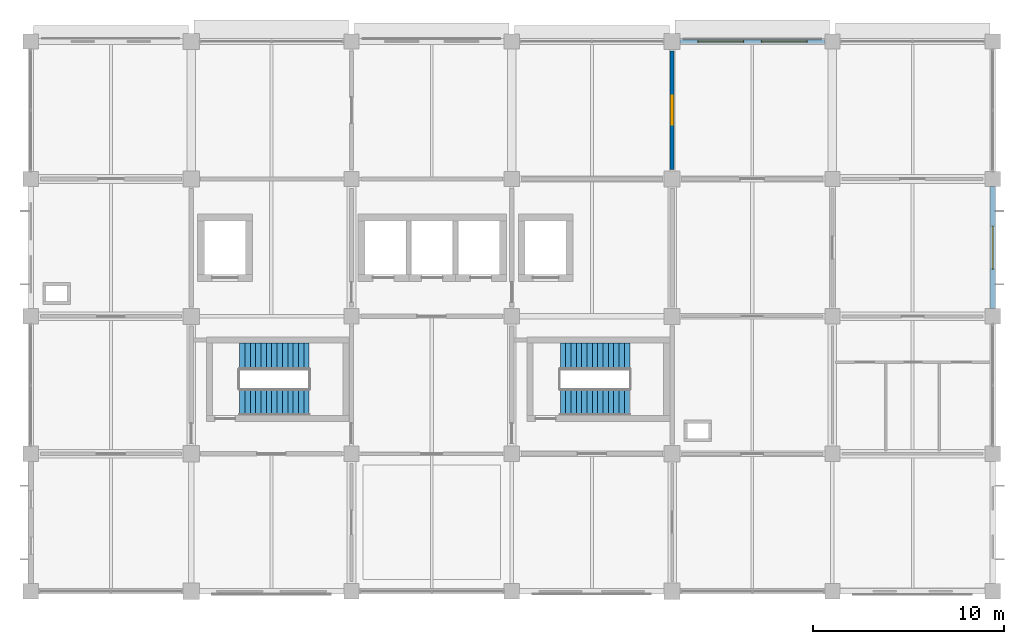
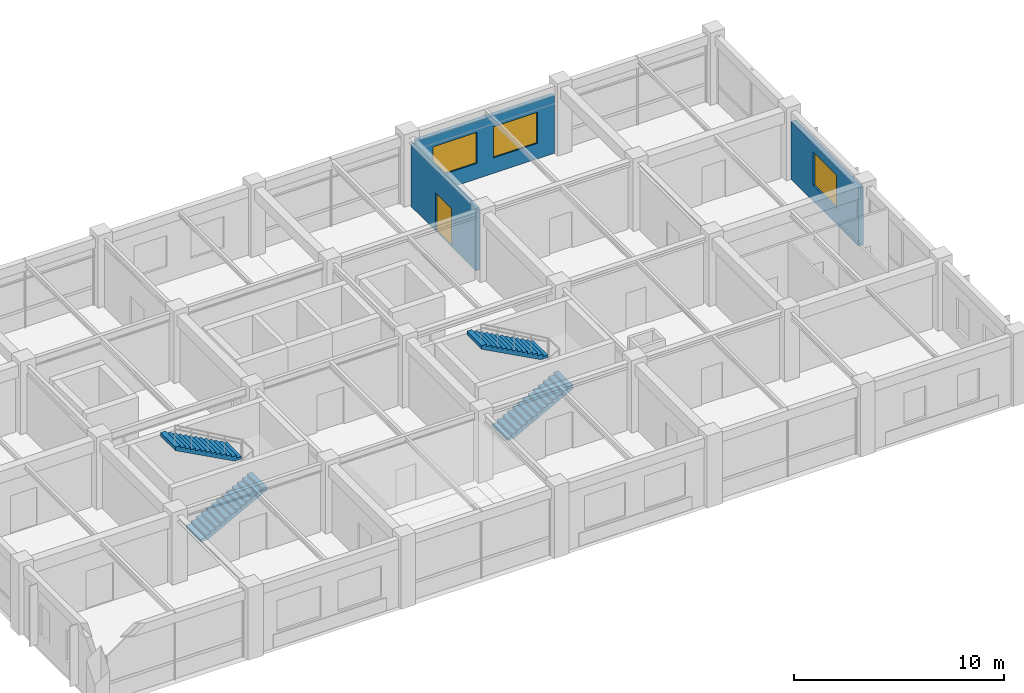
# One storey, part 11 of 13: 4 stair flights, 3 walls, 3 windows, 1 door, 4 openings, 2 elements without a shape of their own.
"""IFC4 building model written with IfcOpenShell, lengths in metres."""

from ifc_helpers import new_model, si_unit, derived_unit, direction, frame, frame_2d, origin, place, context, subcontext, project, spatial, polyline, rectangle, outline, extrude, material, layer, layer_set, type_object, element, fill, aggregate, save


model = new_model("IFC4")

# Units and contexts
model_context = context("Model", 3, precision=1e-05, world=origin(), true_north=direction((0.0, 1.0)))
body_context = subcontext(model_context, "Body", "Model", "MODEL_VIEW")
ifc_project = project(units=[si_unit("LENGTHUNIT", "METRE"), si_unit("AREAUNIT", "SQUARE_METRE"), si_unit("VOLUMEUNIT", "CUBIC_METRE"), si_unit("PLANEANGLEUNIT", "RADIAN"), si_unit("MASSUNIT", "GRAM", prefix="KILO"), derived_unit("THERMALTRANSMITTANCEUNIT", [(si_unit("MASSUNIT", "GRAM", prefix="KILO"), 1), (si_unit("TIMEUNIT", "SECOND"), -3), (si_unit("THERMODYNAMICTEMPERATUREUNIT", "KELVIN"), -1)])], contexts=[model_context])

# Site, building, storey
site_placement = place(None, origin())
site = spatial("IfcSite", under=ifc_project, at=site_placement, CompositionType="ELEMENT")
building_placement = place(site_placement, origin())
building = spatial("IfcBuilding", under=site, at=building_placement, Name="Veldstrom Oceanarium and Marine Research Institute", CompositionType="ELEMENT")
storey_placement = place(building_placement, frame((0.0, 0.0, 27.0)))
storey = spatial("IfcBuildingStorey", under=building, at=storey_placement, Name="L05", CompositionType="ELEMENT", Elevation=27.0)

# Wall, opening, window
ifc_material_1 = material(Name="Masonry Cavity Wall", Category="masonry")
ifc_layer_1 = layer(ifc_material_1, 0.27001953125)
ifc_layer_set_1 = layer_set([ifc_layer_1], Name="ARC-WAL-EW3")
wall_type_1 = type_object("IfcWallType", Name="ARC-WAL-EW3", PredefinedType="SOLIDWALL", material=ifc_layer_set_1)
wall_1_placement = place(storey_placement, frame((117.60009765625, 58.0, 0.0), z_axis=(0.0, 0.0, 1.0), x_axis=(0.0, 1.0, 0.0)))
wall_1 = element("IfcWall", 1, at=wall_1_placement, inside=storey, type_object=wall_type_1, Name="Exterior Facade Wall EW3 L05-185", PredefinedType="SOLIDWALL", context=body_context, shape_type="SweptSolid", body=[
    extrude(rectangle(XDim=6.39990234375, YDim=0.27001953125, at=frame_2d((3.199951171875, 0.0))), origin(), (0.0, 0.0, 1.0), 3.364990234375),
])
opening_1_placement = place(wall_1_placement, frame((2.074951171875, 0.0, 0.89990234375)))
opening_1 = element("IfcOpeningElement", 2, at=opening_1_placement, cuts=wall_1, Name="Opening W21", PredefinedType="OPENING", context=body_context, shape_type="SweptSolid", body=[
    extrude(rectangle(XDim=2.25, YDim=1.949951171875, at=frame_2d((1.125, 0.97509765625))), frame((0.0, 0.14501953125, 0.0), z_axis=(0.0, -1.0, 0.0), x_axis=(1.0, 0.0, 0.0)), (0.0, 0.0, 1.0), 0.2900390625),
])
ifc_material_2 = material(Name="Double Glazed Low-E IGU", Category="glass")
window_type_1 = type_object("IfcWindowType", Name="ARC-WIN-W21", PartitioningType="SINGLE_PANEL", PredefinedType="WINDOW", material=ifc_material_2)
window_1_placement = place(opening_1_placement, origin())
window_1 = element("IfcWindow", 3, at=window_1_placement, inside=storey, type_object=window_type_1, Name="Facade Window W21 L05-0147", OverallHeight=1.949951171875, OverallWidth=2.25, PartitioningType="SINGLE_PANEL", PredefinedType="WINDOW", context=body_context, shape_type="SweptSolid", body=[
    extrude(rectangle(XDim=2.25, YDim=1.949951171875, at=frame_2d((1.125, 0.97509765625))), frame((0.0, 0.030029296875, 0.0), z_axis=(0.0, -1.0, 0.0), x_axis=(1.0, 0.0, 0.0)), (0.0, 0.0, 1.0), 0.06005859375),
])
fill(opening_1, window_1)

# Wall, openings, windows
ifc_material_3 = material(Name="Masonry Cavity Wall", Category="masonry")
ifc_layer_2 = layer(ifc_material_3, 0.215087890625)
ifc_layer_set_2 = layer_set([ifc_layer_2], Name="ARC-WAL-EW6")
wall_type_2 = type_object("IfcWallType", Name="ARC-WAL-EW6", PredefinedType="SOLIDWALL", material=ifc_layer_set_2)
wall_2_placement = place(storey_placement, frame((101.22509765625, 72.0, 0.0), z_axis=(0.0, 0.0, 1.0), x_axis=(1.0, 0.0, 0.0)))
wall_2 = element("IfcWall", 4, at=wall_2_placement, inside=storey, type_object=wall_type_2, Name="Exterior Facade Wall EW6 L05-182", PredefinedType="SOLIDWALL", context=body_context, shape_type="SweptSolid", body=[
    extrude(rectangle(XDim=7.574951171875, YDim=0.215087890625, at=frame_2d((3.78759765625, 0.0))), origin(), (0.0, 0.0, 1.0), 3.364990234375),
])
opening_2_placement = place(wall_2_placement, frame((0.925048828125, 0.0, 0.89990234375)))
opening_2 = element("IfcOpeningElement", 5, at=opening_2_placement, cuts=wall_2, Name="Opening W01", PredefinedType="OPENING", context=body_context, shape_type="SweptSolid", body=[
    extrude(rectangle(XDim=2.39990234375, YDim=1.800048828125, at=frame_2d((1.199951171875, 0.89990234375))), frame((0.0, 0.117431640625, 0.0), z_axis=(0.0, -1.0, 0.0), x_axis=(1.0, 0.0, 0.0)), (0.0, 0.0, 1.0), 0.235107421875),
])
opening_3_placement = place(wall_2_placement, frame((4.25, 0.0, 0.89990234375)))
opening_3 = element("IfcOpeningElement", 6, at=opening_3_placement, cuts=wall_2, Name="Opening W01", PredefinedType="OPENING", context=body_context, shape_type="SweptSolid", body=[
    extrude(rectangle(XDim=2.39990234375, YDim=1.800048828125, at=frame_2d((1.199951171875, 0.89990234375))), frame((0.0, 0.117431640625, 0.0), z_axis=(0.0, -1.0, 0.0), x_axis=(1.0, 0.0, 0.0)), (0.0, 0.0, 1.0), 0.235107421875),
])
ifc_material_4 = material(Name="Double Glazed Low-E IGU", Category="glass")
window_type_2 = type_object("IfcWindowType", Name="ARC-WIN-W01", PartitioningType="SINGLE_PANEL", PredefinedType="WINDOW", material=ifc_material_4)
window_2_placement = place(opening_2_placement, origin())
window_2 = element("IfcWindow", 7, at=window_2_placement, inside=storey, type_object=window_type_2, Name="Facade Window W01 L05-0141", OverallHeight=1.800048828125, OverallWidth=2.39990234375, PartitioningType="SINGLE_PANEL", PredefinedType="WINDOW", context=body_context, shape_type="SweptSolid", body=[
    extrude(rectangle(XDim=2.39990234375, YDim=1.800048828125, at=frame_2d((1.199951171875, 0.89990234375))), frame((0.0, 0.030029296875, 0.0), z_axis=(0.0, -1.0, 0.0), x_axis=(1.0, 0.0, 0.0)), (0.0, 0.0, 1.0), 0.06005859375),
])
fill(opening_2, window_2)
window_3_placement = place(opening_3_placement, origin())
window_3 = element("IfcWindow", 8, at=window_3_placement, inside=storey, type_object=window_type_2, Name="Facade Window W01 L05-0142", OverallHeight=1.800048828125, OverallWidth=2.39990234375, PartitioningType="SINGLE_PANEL", PredefinedType="WINDOW", context=body_context, shape_type="SweptSolid", body=[
    extrude(rectangle(XDim=2.39990234375, YDim=1.800048828125, at=frame_2d((1.199951171875, 0.89990234375))), frame((0.0, 0.030029296875, 0.0), z_axis=(0.0, -1.0, 0.0), x_axis=(1.0, 0.0, 0.0)), (0.0, 0.0, 1.0), 0.06005859375),
])
fill(opening_3, window_3)

# Wall, opening, door
ifc_material_5 = material(Name="Masonry Acoustic Lab Partition", Category="masonry")
ifc_layer_3 = layer(ifc_material_5, 0.205078125)
ifc_layer_set_3 = layer_set([ifc_layer_3], Name="ARC-WAL-PT2")
wall_type_3 = type_object("IfcWallType", Name="ARC-WAL-PT2", PredefinedType="PARTITIONING", material=ifc_layer_set_3)
wall_3_placement = place(storey_placement, frame((100.800048828125, 65.300048828125, 0.0), z_axis=(0.0, 0.0, 1.0), x_axis=(0.0, 1.0, 0.0)))
wall_3 = element("IfcWall", 9, at=wall_3_placement, inside=storey, type_object=wall_type_3, Name="Interior Partition PT2 L05-1464", PredefinedType="PARTITIONING", context=body_context, shape_type="SweptSolid", body=[
    extrude(rectangle(XDim=6.199951171875, YDim=0.205078125, at=frame_2d((3.10009765625, 0.0))), origin(), (0.0, 0.0, 1.0), 3.625),
])
opening_4_placement = place(wall_3_placement, frame((2.35009765625, 0.0, 0.0)))
opening_4 = element("IfcOpeningElement", 10, at=opening_4_placement, cuts=wall_3, Name="Opening D-L05-870", PredefinedType="OPENING", context=body_context, shape_type="SweptSolid", body=[
    extrude(rectangle(XDim=1.5, YDim=2.199951171875, at=frame_2d((0.75, 1.10009765625))), frame((0.0, 0.112548828125, 0.0), z_axis=(0.0, -1.0, 0.0), x_axis=(1.0, 0.0, 0.0)), (0.0, 0.0, 1.0), 0.22509765625),
])
ifc_material_6 = material(Name="Laboratory Double Leaf Door", Category="timber")
door_type = type_object("IfcDoorType", Name="ARC-DOR-ID03", OperationType="DOUBLE_DOOR_SINGLE_SWING", PredefinedType="DOOR", material=ifc_material_6)
door_placement = place(opening_4_placement, origin())
door = element("IfcDoor", 11, at=door_placement, inside=storey, type_object=door_type, Name="Interior Door D-L05-870", OperationType="DOUBLE_DOOR_SINGLE_SWING", OverallHeight=2.199951171875, OverallWidth=1.5, PredefinedType="DOOR", context=body_context, shape_type="SweptSolid", body=[
    extrude(rectangle(XDim=1.5, YDim=2.199951171875, at=frame_2d((0.75, 1.10009765625))), frame((0.0, 0.02490234375, 0.0), z_axis=(0.0, -1.0, 0.0), x_axis=(1.0, 0.0, 0.0)), (0.0, 0.0, 1.0), 0.050048828125),
])
fill(opening_4, door)

# Stair, stair flights
ifc_material_7 = material(Name="Concrete C40/50", Category="concrete")
stair_type = type_object("IfcStairType", Name="ARC-STR-ST-420", PredefinedType="TWO_STRAIGHT_RUN_STAIR", material=ifc_material_7)
stair_1_placement = place(storey_placement, origin())
stair_1 = element("IfcStair", 12, at=stair_1_placement, inside=storey, type_object=stair_type, Name="Dog-Leg Escape Stair ST1-L05", PredefinedType="TWO_STRAIGHT_RUN_STAIR")
ifc_material_8 = material(Name="Concrete C40/50", Category="concrete")
stair_flight_type = type_object("IfcStairFlightType", Name="ARC-STF-ST-420", PredefinedType="STRAIGHT", material=ifc_material_8)
stair_flight_1_placement = place(storey_placement, frame((78.139892578125, 53.10009765625, 0.0), z_axis=(0.0, 0.0, 1.0), x_axis=(1.0, 0.0, 0.0)))
stair_flight_1 = element("IfcStairFlight", 13, at=stair_flight_1_placement, type_object=stair_flight_type, Name="Stair Flight ST1-L05-1", NumberOfRisers=14, NumberOfTreads=13, PredefinedType="STRAIGHT", RiserHeight=0.15, TreadLength=0.28, context=body_context, shape_type="SweptSolid", body=[
    extrude(outline(polyline([(0.0, 0.0), (0.0, 0.14990234375), (0.280029296875, 0.14990234375), (0.280029296875, 0.300048828125), (0.56005859375, 0.300048828125), (0.56005859375, 0.449951171875), (0.840087890625, 0.449951171875), (0.840087890625, 0.60009765625), (1.1201171875, 0.60009765625), (1.1201171875, 0.75), (1.39990234375, 0.75), (1.39990234375, 0.89990234375), (1.679931640625, 0.89990234375), (1.679931640625, 1.050048828125), (1.9599609375, 1.050048828125), (1.9599609375, 1.199951171875), (2.239990234375, 1.199951171875), (2.239990234375, 1.35009765625), (2.52001953125, 1.35009765625), (2.52001953125, 1.5), (2.800048828125, 1.5), (2.800048828125, 1.64990234375), (3.080078125, 1.64990234375), (3.080078125, 1.800048828125), (3.360107421875, 1.800048828125), (3.360107421875, 1.949951171875), (3.639892578125, 1.949951171875), (3.639892578125, 2.10009765625), (3.639892578125, 1.745849609375), (0.381103515625, 0.0), (0.0, 0.0)])), frame((0.0, 0.699951171875, 0.0), z_axis=(0.0, -1.0, 0.0), x_axis=(1.0, 0.0, 0.0)), (0.0, 0.0, 1.0), 1.39990234375),
])
stair_flight_2_placement = place(storey_placement, frame((81.780029296875, 55.5, 2.10009765625), z_axis=(0.0, 0.0, 1.0), x_axis=(-1.0, 0.0, 0.0)))
stair_flight_2 = element("IfcStairFlight", 14, at=stair_flight_2_placement, type_object=stair_flight_type, Name="Stair Flight ST1-L05-2", NumberOfRisers=14, NumberOfTreads=13, PredefinedType="STRAIGHT", RiserHeight=0.15, TreadLength=0.28, context=body_context, shape_type="SweptSolid", body=[
    extrude(outline(polyline([(0.0, 0.0), (0.0, 0.14990234375), (0.280029296875, 0.14990234375), (0.280029296875, 0.300048828125), (0.56005859375, 0.300048828125), (0.56005859375, 0.449951171875), (0.840087890625, 0.449951171875), (0.840087890625, 0.60009765625), (1.1201171875, 0.60009765625), (1.1201171875, 0.75), (1.39990234375, 0.75), (1.39990234375, 0.89990234375), (1.679931640625, 0.89990234375), (1.679931640625, 1.050048828125), (1.9599609375, 1.050048828125), (1.9599609375, 1.199951171875), (2.239990234375, 1.199951171875), (2.239990234375, 1.35009765625), (2.52001953125, 1.35009765625), (2.52001953125, 1.5), (2.800048828125, 1.5), (2.800048828125, 1.64990234375), (3.080078125, 1.64990234375), (3.080078125, 1.800048828125), (3.360107421875, 1.800048828125), (3.360107421875, 1.949951171875), (3.639892578125, 1.949951171875), (3.639892578125, 2.10009765625), (3.639892578125, 1.745849609375), (0.381103515625, 0.0), (0.0, 0.0)])), frame((0.0, 0.699951171875, 0.0), z_axis=(0.0, -1.0, 0.0), x_axis=(1.0, 0.0, 0.0)), (0.0, 0.0, 1.0), 1.39990234375),
])
aggregate(stair_1, [stair_flight_1, stair_flight_2])

stair_2_placement = place(storey_placement, origin())
stair_2 = element("IfcStair", 15, at=stair_2_placement, inside=storey, type_object=stair_type, Name="Dog-Leg Escape Stair ST2-L05", PredefinedType="TWO_STRAIGHT_RUN_STAIR")
stair_flight_3_placement = place(storey_placement, frame((94.93994140625, 53.10009765625, 0.0), z_axis=(0.0, 0.0, 1.0), x_axis=(1.0, 0.0, 0.0)))
stair_flight_3 = element("IfcStairFlight", 16, at=stair_flight_3_placement, type_object=stair_flight_type, Name="Stair Flight ST2-L05-1", NumberOfRisers=14, NumberOfTreads=13, PredefinedType="STRAIGHT", RiserHeight=0.15, TreadLength=0.28, context=body_context, shape_type="SweptSolid", body=[
    extrude(outline(polyline([(0.0, 0.0), (0.0, 0.14990234375), (0.280029296875, 0.14990234375), (0.280029296875, 0.300048828125), (0.56005859375, 0.300048828125), (0.56005859375, 0.449951171875), (0.840087890625, 0.449951171875), (0.840087890625, 0.60009765625), (1.1201171875, 0.60009765625), (1.1201171875, 0.75), (1.39990234375, 0.75), (1.39990234375, 0.89990234375), (1.679931640625, 0.89990234375), (1.679931640625, 1.050048828125), (1.9599609375, 1.050048828125), (1.9599609375, 1.199951171875), (2.239990234375, 1.199951171875), (2.239990234375, 1.35009765625), (2.52001953125, 1.35009765625), (2.52001953125, 1.5), (2.800048828125, 1.5), (2.800048828125, 1.64990234375), (3.080078125, 1.64990234375), (3.080078125, 1.800048828125), (3.360107421875, 1.800048828125), (3.360107421875, 1.949951171875), (3.639892578125, 1.949951171875), (3.639892578125, 2.10009765625), (3.639892578125, 1.745849609375), (0.381103515625, 0.0), (0.0, 0.0)])), frame((0.0, 0.699951171875, 0.0), z_axis=(0.0, -1.0, 0.0), x_axis=(1.0, 0.0, 0.0)), (0.0, 0.0, 1.0), 1.39990234375),
])
stair_flight_4_placement = place(storey_placement, frame((98.580078125, 55.5, 2.10009765625), z_axis=(0.0, 0.0, 1.0), x_axis=(-1.0, 0.0, 0.0)))
stair_flight_4 = element("IfcStairFlight", 17, at=stair_flight_4_placement, type_object=stair_flight_type, Name="Stair Flight ST2-L05-2", NumberOfRisers=14, NumberOfTreads=13, PredefinedType="STRAIGHT", RiserHeight=0.15, TreadLength=0.28, context=body_context, shape_type="SweptSolid", body=[
    extrude(outline(polyline([(0.0, 0.0), (0.0, 0.14990234375), (0.280029296875, 0.14990234375), (0.280029296875, 0.300048828125), (0.56005859375, 0.300048828125), (0.56005859375, 0.449951171875), (0.840087890625, 0.449951171875), (0.840087890625, 0.60009765625), (1.1201171875, 0.60009765625), (1.1201171875, 0.75), (1.39990234375, 0.75), (1.39990234375, 0.89990234375), (1.679931640625, 0.89990234375), (1.679931640625, 1.050048828125), (1.9599609375, 1.050048828125), (1.9599609375, 1.199951171875), (2.239990234375, 1.199951171875), (2.239990234375, 1.35009765625), (2.52001953125, 1.35009765625), (2.52001953125, 1.5), (2.800048828125, 1.5), (2.800048828125, 1.64990234375), (3.080078125, 1.64990234375), (3.080078125, 1.800048828125), (3.360107421875, 1.800048828125), (3.360107421875, 1.949951171875), (3.639892578125, 1.949951171875), (3.639892578125, 2.10009765625), (3.639892578125, 1.745849609375), (0.381103515625, 0.0), (0.0, 0.0)])), frame((0.0, 0.699951171875, 0.0), z_axis=(0.0, -1.0, 0.0), x_axis=(1.0, 0.0, 0.0)), (0.0, 0.0, 1.0), 1.39990234375),
])
aggregate(stair_2, [stair_flight_3, stair_flight_4])

save(model, "model.ifc")
